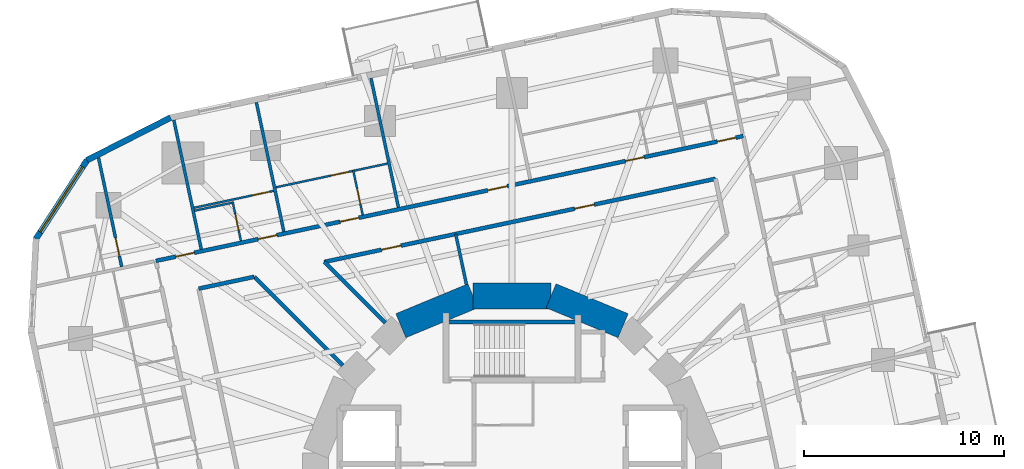
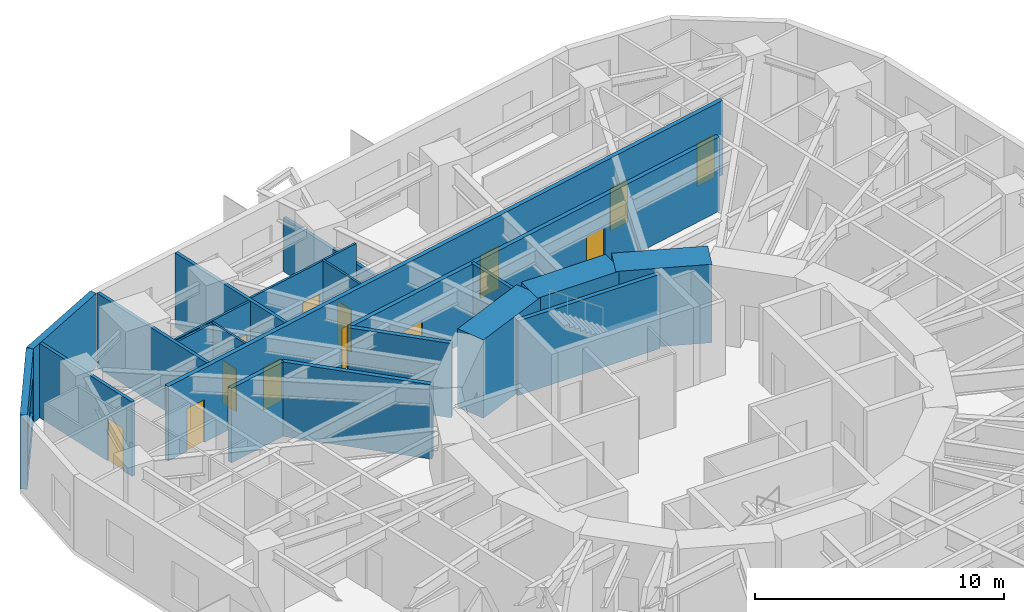
# One storey, part 10 of 14: 22 walls, 13 doors, 1 window, 14 openings.
"""IFC4 building model written with IfcOpenShell, lengths in metres."""

from ifc_helpers import new_model, si_unit, direction, frame, frame_2d, origin, place, context, subcontext, project, spatial, rectangle, extrude, material, layer, layer_set, type_object, element, fill, save


model = new_model("IFC4")

# Units and contexts
model_context = context("Model", 3, precision=1e-05, world=origin(), true_north=direction((0.0, 1.0)))
body_context = subcontext(model_context, "Body", "Model", "MODEL_VIEW")
ifc_project = project(units=[si_unit("LENGTHUNIT", "METRE"), si_unit("AREAUNIT", "SQUARE_METRE"), si_unit("VOLUMEUNIT", "CUBIC_METRE"), si_unit("PLANEANGLEUNIT", "RADIAN"), si_unit("MASSUNIT", "GRAM", prefix="KILO")], contexts=[model_context])

# Site, building, storey
site_placement = place(None, origin())
site = spatial("IfcSite", under=ifc_project, at=site_placement, CompositionType="ELEMENT")
building_placement = place(site_placement, origin())
building = spatial("IfcBuilding", under=site, at=building_placement, Name="Nakasero Lantern House", CompositionType="ELEMENT")
storey_placement = place(building_placement, frame((0.0, 0.0, 120.39990234375)))
storey = spatial("IfcBuildingStorey", under=building, at=storey_placement, Name="L29", CompositionType="ELEMENT", Elevation=120.39990234375)

# Walls
ifc_material_1 = material(Name="Concrete C50/60", Category="concrete")
ifc_layer_1 = layer(ifc_material_1, 1.300048828125)
ifc_layer_set_1 = layer_set([ifc_layer_1], Name="Core wall 1300")
wall_type_1 = type_object("IfcWallType", Name="Core wall 1300", PredefinedType="SHEAR", material=ifc_layer_set_1)
for number, where, z_axis, x_axis, name in (
    (1, (5.5556640625, 8.314697265625, 0.0), (0.0, 0.0, 1.0), (-0.923876507187, 0.382690736062, 0.0), "Core wall L29 facet 3"),
    (2, (1.950927734375, 9.807861328125, 0.0), (0.0, 0.0, 1.0), (-1.0, 0.0, 0.0), "Core wall L29 facet 4"),
    (3, (-1.950927734375, 9.807861328125, 0.0), (0.0, 0.0, 1.0), (-0.923876507187, -0.382690736062, 0.0), "Core wall L29 facet 5"),
):
    element("IfcWall", number, at=place(storey_placement, frame(where, z_axis=z_axis, x_axis=x_axis)), inside=storey, type_object=wall_type_1, Name=name, PredefinedType="SHEAR", context=body_context, shape_type="SweptSolid", body=[
        extrude(rectangle(XDim=3.90185546875, YDim=1.300048828125, at=frame_2d((1.950927734375, 0.0))), origin(), (0.0, 0.0, 1.0), 3.85009765625),
    ])

# Wall, openings, doors
ifc_material_2 = material(Name="Blockwork", Category="masonry")
ifc_layer_2 = layer(ifc_material_2, 0.199951171875)
ifc_layer_set_2 = layer_set([ifc_layer_2], Name="Corridor wall 200")
wall_type_2 = type_object("IfcWallType", Name="Corridor wall 200", PredefinedType="PARTITIONING", material=ifc_layer_set_2)
wall_1_placement = place(storey_placement, frame((11.553466796875, 17.790771484375, 0.0), z_axis=(0.0, 0.0, 1.0), x_axis=(-0.978147639417, -0.207911508826, 0.0)))
wall_1 = element("IfcWall", 4, at=wall_1_placement, inside=storey, type_object=wall_type_2, Name="Corridor wall L29 CW1", PredefinedType="PARTITIONING", context=body_context, shape_type="SweptSolid", body=[
    extrude(rectangle(XDim=29.999755859375, YDim=0.199951171875, at=frame_2d((15.0, 0.0))), origin(), (0.0, 0.0, 1.0), 3.650146484375),
])
opening_1_placement = place(wall_1_placement, frame((0.375, 0.0, 0.0)))
opening_1 = element("IfcOpeningElement", 5, at=opening_1_placement, cuts=wall_1, Name="Opening D01", PredefinedType="OPENING", context=body_context, shape_type="SweptSolid", body=[
    extrude(rectangle(XDim=0.949951171875, YDim=2.10009765625, at=frame_2d((0.47509765625, 1.050048828125))), frame((0.0, 0.119873046875, 0.0), z_axis=(0.0, -1.0, 0.0), x_axis=(1.0, 0.0, 0.0)), (0.0, 0.0, 1.0), 0.239990234375),
])
opening_2_placement = place(wall_1_placement, frame((5.066162109375, 0.0, 0.0)))
opening_2 = element("IfcOpeningElement", 6, at=opening_2_placement, cuts=wall_1, Name="Opening D01", PredefinedType="OPENING", context=body_context, shape_type="SweptSolid", body=[
    extrude(rectangle(XDim=0.949951171875, YDim=2.10009765625, at=frame_2d((0.47509765625, 1.050048828125))), frame((0.0, 0.119873046875, 0.0), z_axis=(0.0, -1.0, 0.0), x_axis=(1.0, 0.0, 0.0)), (0.0, 0.0, 1.0), 0.239990234375),
])
opening_3_placement = place(wall_1_placement, frame((19.642578125, 0.0, 0.0)))
opening_3 = element("IfcOpeningElement", 7, at=opening_3_placement, cuts=wall_1, Name="Opening D01", PredefinedType="OPENING", context=body_context, shape_type="SweptSolid", body=[
    extrude(rectangle(XDim=0.949951171875, YDim=2.10009765625, at=frame_2d((0.47509765625, 1.050048828125))), frame((0.0, 0.119873046875, 0.0), z_axis=(0.0, -1.0, 0.0), x_axis=(1.0, 0.0, 0.0)), (0.0, 0.0, 1.0), 0.239990234375),
])
opening_4_placement = place(wall_1_placement, frame((23.8203125, 0.0, 0.0)))
opening_4 = element("IfcOpeningElement", 8, at=opening_4_placement, cuts=wall_1, Name="Opening D01", PredefinedType="OPENING", context=body_context, shape_type="SweptSolid", body=[
    extrude(rectangle(XDim=0.949951171875, YDim=2.10009765625, at=frame_2d((0.47509765625, 1.050048828125))), frame((0.0, 0.119873046875, 0.0), z_axis=(0.0, -1.0, 0.0), x_axis=(1.0, 0.0, 0.0)), (0.0, 0.0, 1.0), 0.239990234375),
])
opening_5_placement = place(wall_1_placement, frame((28.038330078125, 0.0, 0.0)))
opening_5 = element("IfcOpeningElement", 9, at=opening_5_placement, cuts=wall_1, Name="Opening D01", PredefinedType="OPENING", context=body_context, shape_type="SweptSolid", body=[
    extrude(rectangle(XDim=0.949951171875, YDim=2.10009765625, at=frame_2d((0.47509765625, 1.050048828125))), frame((0.0, 0.119873046875, 0.0), z_axis=(0.0, -1.0, 0.0), x_axis=(1.0, 0.0, 0.0)), (0.0, 0.0, 1.0), 0.239990234375),
])
opening_6_placement = place(wall_1_placement, frame((12.05517578125, 0.0, 0.0)))
opening_6 = element("IfcOpeningElement", 10, at=opening_6_placement, cuts=wall_1, Name="Opening D03", PredefinedType="OPENING", context=body_context, shape_type="SweptSolid", body=[
    extrude(rectangle(XDim=1.0, YDim=2.10009765625, at=frame_2d((0.5, 1.050048828125))), frame((0.0, 0.119873046875, 0.0), z_axis=(0.0, -1.0, 0.0), x_axis=(1.0, 0.0, 0.0)), (0.0, 0.0, 1.0), 0.239990234375),
])
ifc_material_3 = material(Name="Timber C24", Category="wood")
door_type_1 = type_object("IfcDoorType", Name="Bedroom door FD30S 950", OperationType="SINGLE_SWING_LEFT", PredefinedType="DOOR", material=ifc_material_3)
door_1_placement = place(opening_1_placement, origin())
door_1 = element("IfcDoor", 11, at=door_1_placement, inside=storey, type_object=door_type_1, Name="Door L29 D1-00", OperationType="SINGLE_SWING_LEFT", OverallHeight=2.10009765625, OverallWidth=0.949951171875, PredefinedType="DOOR", context=body_context, shape_type="SweptSolid", body=[
    extrude(rectangle(XDim=0.949951171875, YDim=2.10009765625, at=frame_2d((0.47509765625, 1.050048828125))), frame((0.0, 0.02490234375, 0.0), z_axis=(0.0, -1.0, 0.0), x_axis=(1.0, 0.0, 0.0)), (0.0, 0.0, 1.0), 0.050048828125),
])
fill(opening_1, door_1)
door_2_placement = place(opening_2_placement, origin())
door_2 = element("IfcDoor", 12, at=door_2_placement, inside=storey, type_object=door_type_1, Name="Door L29 D1-01", OperationType="SINGLE_SWING_LEFT", OverallHeight=2.10009765625, OverallWidth=0.949951171875, PredefinedType="DOOR", context=body_context, shape_type="SweptSolid", body=[
    extrude(rectangle(XDim=0.949951171875, YDim=2.10009765625, at=frame_2d((0.47509765625, 1.050048828125))), frame((0.0, 0.02490234375, 0.0), z_axis=(0.0, -1.0, 0.0), x_axis=(1.0, 0.0, 0.0)), (0.0, 0.0, 1.0), 0.050048828125),
])
fill(opening_2, door_2)
door_3_placement = place(opening_3_placement, origin())
door_3 = element("IfcDoor", 13, at=door_3_placement, inside=storey, type_object=door_type_1, Name="Door L29 D1-05", OperationType="SINGLE_SWING_RIGHT", OverallHeight=2.10009765625, OverallWidth=0.949951171875, PredefinedType="DOOR", context=body_context, shape_type="SweptSolid", body=[
    extrude(rectangle(XDim=0.949951171875, YDim=2.10009765625, at=frame_2d((0.47509765625, 1.050048828125))), frame((0.0, 0.02490234375, 0.0), z_axis=(0.0, -1.0, 0.0), x_axis=(1.0, 0.0, 0.0)), (0.0, 0.0, 1.0), 0.050048828125),
])
fill(opening_3, door_3)
door_4_placement = place(opening_4_placement, origin())
door_4 = element("IfcDoor", 14, at=door_4_placement, inside=storey, type_object=door_type_1, Name="Door L29 D1-07", OperationType="SINGLE_SWING_RIGHT", OverallHeight=2.10009765625, OverallWidth=0.949951171875, PredefinedType="DOOR", context=body_context, shape_type="SweptSolid", body=[
    extrude(rectangle(XDim=0.949951171875, YDim=2.10009765625, at=frame_2d((0.47509765625, 1.050048828125))), frame((0.0, 0.02490234375, 0.0), z_axis=(0.0, -1.0, 0.0), x_axis=(1.0, 0.0, 0.0)), (0.0, 0.0, 1.0), 0.050048828125),
])
fill(opening_4, door_4)
door_5_placement = place(opening_5_placement, origin())
door_5 = element("IfcDoor", 15, at=door_5_placement, inside=storey, type_object=door_type_1, Name="Door L29 D1-08", OperationType="SINGLE_SWING_RIGHT", OverallHeight=2.10009765625, OverallWidth=0.949951171875, PredefinedType="DOOR", context=body_context, shape_type="SweptSolid", body=[
    extrude(rectangle(XDim=0.949951171875, YDim=2.10009765625, at=frame_2d((0.47509765625, 1.050048828125))), frame((0.0, 0.02490234375, 0.0), z_axis=(0.0, -1.0, 0.0), x_axis=(1.0, 0.0, 0.0)), (0.0, 0.0, 1.0), 0.050048828125),
])
fill(opening_5, door_5)
ifc_material_4 = material(Name="Timber C24", Category="wood")
door_type_2 = type_object("IfcDoorType", Name="Lounge door FD30S 1000", OperationType="SINGLE_SWING_LEFT", PredefinedType="DOOR", material=ifc_material_4)
door_6_placement = place(opening_6_placement, origin())
door_6 = element("IfcDoor", 16, at=door_6_placement, inside=storey, type_object=door_type_2, Name="Door L29 DK1", OperationType="SINGLE_SWING_LEFT", OverallHeight=2.10009765625, OverallWidth=1.0, PredefinedType="DOOR", context=body_context, shape_type="SweptSolid", body=[
    extrude(rectangle(XDim=1.0, YDim=2.10009765625, at=frame_2d((0.5, 1.050048828125))), frame((0.0, 0.02490234375, 0.0), z_axis=(0.0, -1.0, 0.0), x_axis=(1.0, 0.0, 0.0)), (0.0, 0.0, 1.0), 0.050048828125),
])
fill(opening_6, door_6)

wall_2_placement = place(storey_placement, frame((10.1669921875, 15.656005859375, 0.0), z_axis=(0.0, 0.0, 1.0), x_axis=(-0.978147920132, -0.20791018816, 0.0)))
wall_2 = element("IfcWall", 17, at=wall_2_placement, inside=storey, type_object=wall_type_2, Name="Corridor wall L29 IW1-0", PredefinedType="PARTITIONING", context=body_context, shape_type="SweptSolid", body=[
    extrude(rectangle(XDim=19.983642578125, YDim=0.199951171875, at=frame_2d((9.99169921875, 0.0))), origin(), (0.0, 0.0, 1.0), 3.650146484375),
])
opening_7_placement = place(wall_2_placement, frame((6.197509765625, 0.0, 0.0)))
opening_7 = element("IfcOpeningElement", 18, at=opening_7_placement, cuts=wall_2, Name="Opening D07", PredefinedType="OPENING", context=body_context, shape_type="SweptSolid", body=[
    extrude(rectangle(XDim=1.0, YDim=2.10009765625, at=frame_2d((0.5, 1.050048828125))), frame((0.0, 0.119873046875, 0.0), z_axis=(0.0, -1.0, 0.0), x_axis=(1.0, 0.0, 0.0)), (0.0, 0.0, 1.0), 0.239990234375),
])
opening_8_placement = place(wall_2_placement, frame((16.064208984375, 0.0, 0.0)))
opening_8 = element("IfcOpeningElement", 19, at=opening_8_placement, cuts=wall_2, Name="Opening D07", PredefinedType="OPENING", context=body_context, shape_type="SweptSolid", body=[
    extrude(rectangle(XDim=1.0, YDim=2.10009765625, at=frame_2d((0.5, 1.050048828125))), frame((0.0, 0.119873046875, 0.0), z_axis=(0.0, -1.0, 0.0), x_axis=(1.0, 0.0, 0.0)), (0.0, 0.0, 1.0), 0.239990234375),
])
ifc_material_5 = material(Name="Timber C24", Category="wood")
door_type_3 = type_object("IfcDoorType", Name="Room door FD30S 1000", OperationType="SINGLE_SWING_LEFT", PredefinedType="DOOR", material=ifc_material_5)
door_7_placement = place(opening_7_placement, origin())
door_7 = element("IfcDoor", 20, at=door_7_placement, inside=storey, type_object=door_type_3, Name="Door L29 DI5", OperationType="SINGLE_SWING_LEFT", OverallHeight=2.10009765625, OverallWidth=1.0, PredefinedType="DOOR", context=body_context, shape_type="SweptSolid", body=[
    extrude(rectangle(XDim=1.0, YDim=2.10009765625, at=frame_2d((0.5, 1.050048828125))), frame((0.0, 0.02490234375, 0.0), z_axis=(0.0, -1.0, 0.0), x_axis=(1.0, 0.0, 0.0)), (0.0, 0.0, 1.0), 0.050048828125),
])
fill(opening_7, door_7)
door_8_placement = place(opening_8_placement, origin())
door_8 = element("IfcDoor", 21, at=door_8_placement, inside=storey, type_object=door_type_3, Name="Door L29 DI6", OperationType="SINGLE_SWING_RIGHT", OverallHeight=2.10009765625, OverallWidth=1.0, PredefinedType="DOOR", context=body_context, shape_type="SweptSolid", body=[
    extrude(rectangle(XDim=1.0, YDim=2.10009765625, at=frame_2d((0.5, 1.050048828125))), frame((0.0, 0.02490234375, 0.0), z_axis=(0.0, -1.0, 0.0), x_axis=(1.0, 0.0, 0.0)), (0.0, 0.0, 1.0), 0.050048828125),
])
fill(opening_8, door_8)

# Walls
wall_3_placement = place(storey_placement, frame((-12.878662109375, 10.75732421875, 0.0), z_axis=(0.0, 0.0, 1.0), x_axis=(-0.97814836043, -0.207908116695, 0.0)))
element("IfcWall", 22, at=wall_3_placement, inside=storey, type_object=wall_type_2, Name="Corridor wall L29 IW1-1", PredefinedType="PARTITIONING", context=body_context, shape_type="SweptSolid", body=[
    extrude(rectangle(XDim=2.83935546875, YDim=0.199951171875, at=frame_2d((1.419677734375, 0.0))), origin(), (0.0, 0.0, 1.0), 3.650146484375),
])
wall_4_placement = place(storey_placement, frame((-8.45556640625, 6.334228515625, 0.0), z_axis=(0.0, 0.0, 1.0), x_axis=(-0.707106781187, 0.707106781187, 0.0)))
element("IfcWall", 23, at=wall_4_placement, inside=storey, type_object=wall_type_2, Name="Corridor wall L29 PS06a", PredefinedType="PARTITIONING", context=body_context, shape_type="SweptSolid", body=[
    extrude(rectangle(XDim=6.255126953125, YDim=0.199951171875, at=frame_2d((3.12744140625, 0.0))), origin(), (0.0, 0.0, 1.0), 3.650146484375),
])
wall_5_placement = place(storey_placement, frame((-6.334228515625, 8.45556640625, 0.0), z_axis=(0.0, 0.0, 1.0), x_axis=(-0.707106781187, 0.707106781187, 0.0)))
element("IfcWall", 24, at=wall_5_placement, inside=storey, type_object=wall_type_2, Name="Corridor wall L29 PS06b", PredefinedType="PARTITIONING", context=body_context, shape_type="SweptSolid", body=[
    extrude(rectangle(XDim=4.30712890625, YDim=0.199951171875, at=frame_2d((2.153564453125, 0.0))), origin(), (0.0, 0.0, 1.0), 3.650146484375),
])

# Wall, opening, door
ifc_material_6 = material(Name="Blockwork", Category="masonry")
ifc_layer_3 = layer(ifc_material_6, 0.10009765625)
ifc_layer_set_3 = layer_set([ifc_layer_3], Name="En-suite wall 100")
wall_type_3 = type_object("IfcWallType", Name="En-suite wall 100", PredefinedType="PARTITIONING", material=ifc_layer_set_3)
wall_6_placement = place(storey_placement, frame((-7.46044921875, 13.8515625, 0.0), z_axis=(0.0, 0.0, 1.0), x_axis=(-0.207941273027, 0.978141312374, 0.0)))
wall_6 = element("IfcWall", 25, at=wall_6_placement, inside=storey, type_object=wall_type_3, Name="En-suite wall L29 ES1-05", PredefinedType="PARTITIONING", context=body_context, shape_type="SweptSolid", body=[
    extrude(rectangle(XDim=2.300048828125, YDim=0.10009765625, at=frame_2d((1.14990234375, 0.0))), origin(), (0.0, 0.0, 1.0), 3.650146484375),
])
opening_9_placement = place(wall_6_placement, frame((0.550048828125, 0.0, 0.0)))
opening_9 = element("IfcOpeningElement", 26, at=opening_9_placement, cuts=wall_6, Name="Opening D02", PredefinedType="OPENING", context=body_context, shape_type="SweptSolid", body=[
    extrude(rectangle(XDim=0.800048828125, YDim=2.10009765625, at=frame_2d((0.39990234375, 1.050048828125))), frame((0.0, 0.070068359375, 0.0), z_axis=(0.0, -1.0, 0.0), x_axis=(1.0, 0.0, 0.0)), (0.0, 0.0, 1.0), 0.14013671875),
])
ifc_material_7 = material(Name="Timber C24", Category="wood")
door_type_4 = type_object("IfcDoorType", Name="En-suite door 800", OperationType="SINGLE_SWING_RIGHT", PredefinedType="DOOR", material=ifc_material_7)
door_9_placement = place(opening_9_placement, origin())
door_9 = element("IfcDoor", 27, at=door_9_placement, inside=storey, type_object=door_type_4, Name="Door L29 DE1-05", OperationType="SINGLE_SWING_LEFT", OverallHeight=2.10009765625, OverallWidth=0.800048828125, PredefinedType="DOOR", context=body_context, shape_type="SweptSolid", body=[
    extrude(rectangle(XDim=0.800048828125, YDim=2.10009765625, at=frame_2d((0.39990234375, 1.050048828125))), frame((0.0, 0.02490234375, 0.0), z_axis=(0.0, -1.0, 0.0), x_axis=(1.0, 0.0, 0.0)), (0.0, 0.0, 1.0), 0.050048828125),
])
fill(opening_9, door_9)

# Wall
wall_7_placement = place(storey_placement, frame((-6.216552734375, 16.416259765625, 0.0), z_axis=(0.0, 0.0, 1.0), x_axis=(-0.97813950236, -0.207949787024, 0.0)))
element("IfcWall", 28, at=wall_7_placement, inside=storey, type_object=wall_type_3, Name="En-suite wall L29 EE1-05", PredefinedType="PARTITIONING", context=body_context, shape_type="SweptSolid", body=[
    extrude(rectangle(XDim=1.699951171875, YDim=0.10009765625, at=frame_2d((0.85009765625, 0.0))), origin(), (0.0, 0.0, 1.0), 3.650146484375),
])

# Wall, opening, door
wall_8_placement = place(storey_placement, frame((-13.54541015625, 12.55810546875, 0.0), z_axis=(0.0, 0.0, 1.0), x_axis=(-0.207886494942, 0.978152955943, 0.0)))
wall_8 = element("IfcWall", 29, at=wall_8_placement, inside=storey, type_object=wall_type_3, Name="En-suite wall L29 ES1-07", PredefinedType="PARTITIONING", context=body_context, shape_type="SweptSolid", body=[
    extrude(rectangle(XDim=2.0, YDim=0.10009765625, at=frame_2d((1.0, 0.0))), origin(), (0.0, 0.0, 1.0), 3.650146484375),
])
opening_10_placement = place(wall_8_placement, frame((0.550048828125, 0.0, 0.0)))
opening_10 = element("IfcOpeningElement", 30, at=opening_10_placement, cuts=wall_8, Name="Opening D02", PredefinedType="OPENING", context=body_context, shape_type="SweptSolid", body=[
    extrude(rectangle(XDim=0.800048828125, YDim=2.10009765625, at=frame_2d((0.39990234375, 1.050048828125))), frame((0.0, 0.070068359375, 0.0), z_axis=(0.0, -1.0, 0.0), x_axis=(1.0, 0.0, 0.0)), (0.0, 0.0, 1.0), 0.14013671875),
])
door_10_placement = place(opening_10_placement, origin())
door_10 = element("IfcDoor", 31, at=door_10_placement, inside=storey, type_object=door_type_4, Name="Door L29 DE1-07", OperationType="SINGLE_SWING_LEFT", OverallHeight=2.10009765625, OverallWidth=0.800048828125, PredefinedType="DOOR", context=body_context, shape_type="SweptSolid", body=[
    extrude(rectangle(XDim=0.800048828125, YDim=2.10009765625, at=frame_2d((0.39990234375, 1.050048828125))), frame((0.0, 0.02490234375, 0.0), z_axis=(0.0, -1.0, 0.0), x_axis=(1.0, 0.0, 0.0)), (0.0, 0.0, 1.0), 0.050048828125),
])
fill(opening_10, door_10)

# Wall
wall_9_placement = place(storey_placement, frame((-13.999755859375, 14.455078125, 0.0), z_axis=(0.0, 0.0, 1.0), x_axis=(-0.978147092378, -0.207914082431, 0.0)))
element("IfcWall", 32, at=wall_9_placement, inside=storey, type_object=wall_type_3, Name="En-suite wall L29 EE1-07", PredefinedType="PARTITIONING", context=body_context, shape_type="SweptSolid", body=[
    extrude(rectangle(XDim=1.89990234375, YDim=0.10009765625, at=frame_2d((0.949951171875, 0.0))), origin(), (0.0, 0.0, 1.0), 3.650146484375),
])

# Wall, opening, door
wall_10_placement = place(storey_placement, frame((-7.977294921875, 16.0419921875, 0.0), z_axis=(0.0, 0.0, 1.0), x_axis=(-0.978141676897, -0.207939558327, 0.0)))
wall_10 = element("IfcWall", 33, at=wall_10_placement, inside=storey, type_object=wall_type_3, Name="En-suite wall L29 EL1-05", PredefinedType="PARTITIONING", context=body_context, shape_type="SweptSolid", body=[
    extrude(rectangle(XDim=3.902587890625, YDim=0.10009765625, at=frame_2d((1.951171875, 0.0))), origin(), (0.0, 0.0, 1.0), 3.650146484375),
])
opening_11_placement = place(wall_10_placement, frame((0.199951171875, 0.0, 0.0)))
opening_11 = element("IfcOpeningElement", 34, at=opening_11_placement, cuts=wall_10, Name="Opening D17", PredefinedType="OPENING", context=body_context, shape_type="SweptSolid", body=[
    extrude(rectangle(XDim=0.89990234375, YDim=2.10009765625, at=frame_2d((0.449951171875, 1.050048828125))), frame((0.0, 0.070068359375, 0.0), z_axis=(0.0, -1.0, 0.0), x_axis=(1.0, 0.0, 0.0)), (0.0, 0.0, 1.0), 0.14013671875),
])
ifc_material_8 = material(Name="Timber C24", Category="wood")
door_type_5 = type_object("IfcDoorType", Name="Bedroom door FD30S 900", OperationType="SINGLE_SWING_LEFT", PredefinedType="DOOR", material=ifc_material_8)
door_11_placement = place(opening_11_placement, origin())
door_11 = element("IfcDoor", 35, at=door_11_placement, inside=storey, type_object=door_type_5, Name="Door L29 DL1-05", OperationType="SINGLE_SWING_LEFT", OverallHeight=2.10009765625, OverallWidth=0.89990234375, PredefinedType="DOOR", context=body_context, shape_type="SweptSolid", body=[
    extrude(rectangle(XDim=0.89990234375, YDim=2.10009765625, at=frame_2d((0.449951171875, 1.050048828125))), frame((0.0, 0.02490234375, 0.0), z_axis=(0.0, -1.0, 0.0), x_axis=(1.0, 0.0, 0.0)), (0.0, 0.0, 1.0), 0.050048828125),
])
fill(opening_11, door_11)

wall_11_placement = place(storey_placement, frame((-11.91015625, 15.052734375, 0.0), z_axis=(0.0, 0.0, 1.0), x_axis=(-0.978141002414, -0.207942731049, 0.0)))
wall_11 = element("IfcWall", 36, at=wall_11_placement, inside=storey, type_object=wall_type_3, Name="En-suite wall L29 EL1-07", PredefinedType="PARTITIONING", context=body_context, shape_type="SweptSolid", body=[
    extrude(rectangle(XDim=4.068115234375, YDim=0.10009765625, at=frame_2d((2.0341796875, 0.0))), origin(), (0.0, 0.0, 1.0), 3.650146484375),
])
opening_12_placement = place(wall_11_placement, frame((0.199951171875, 0.0, 0.0)))
opening_12 = element("IfcOpeningElement", 37, at=opening_12_placement, cuts=wall_11, Name="Opening D17", PredefinedType="OPENING", context=body_context, shape_type="SweptSolid", body=[
    extrude(rectangle(XDim=0.89990234375, YDim=2.10009765625, at=frame_2d((0.449951171875, 1.050048828125))), frame((0.0, 0.070068359375, 0.0), z_axis=(0.0, -1.0, 0.0), x_axis=(1.0, 0.0, 0.0)), (0.0, 0.0, 1.0), 0.14013671875),
])
door_12_placement = place(opening_12_placement, origin())
door_12 = element("IfcDoor", 38, at=door_12_placement, inside=storey, type_object=door_type_5, Name="Door L29 DL1-07", OperationType="SINGLE_SWING_LEFT", OverallHeight=2.10009765625, OverallWidth=0.89990234375, PredefinedType="DOOR", context=body_context, shape_type="SweptSolid", body=[
    extrude(rectangle(XDim=0.89990234375, YDim=2.10009765625, at=frame_2d((0.449951171875, 1.050048828125))), frame((0.0, 0.02490234375, 0.0), z_axis=(0.0, -1.0, 0.0), x_axis=(1.0, 0.0, 0.0)), (0.0, 0.0, 1.0), 0.050048828125),
])
fill(opening_12, door_12)

# Wall
ifc_material_9 = material(Name="Aluminium rainscreen on blockwork", Category="masonry")
ifc_layer_4 = layer(ifc_material_9, 0.300048828125)
ifc_layer_set_4 = layer_set([ifc_layer_4], Name="Facade wall 300")
wall_type_4 = type_object("IfcWallType", Name="Facade wall 300", PredefinedType="SOLIDWALL", material=ifc_layer_set_4)
wall_12_placement = place(storey_placement, frame((-17.063232421875, 18.711181640625, 0.0), z_axis=(0.0, 0.0, 1.0), x_axis=(-0.89101404178, -0.453975745332, 0.0)))
element("IfcWall", 39, at=wall_12_placement, inside=storey, type_object=wall_type_4, Name="Facade wall L29 FW1C1", PredefinedType="SOLIDWALL", context=body_context, shape_type="SweptSolid", body=[
    extrude(rectangle(XDim=4.6845703125, YDim=0.300048828125, at=frame_2d((2.34228515625, 0.0))), origin(), (0.0, 0.0, 1.0), 3.650146484375),
])

# Wall, opening, window
wall_13_placement = place(storey_placement, frame((-21.2373046875, 16.58447265625, 0.0), z_axis=(0.0, 0.0, 1.0), x_axis=(-0.544605442853, -0.838692381994, 0.0)))
wall_13 = element("IfcWall", 40, at=wall_13_placement, inside=storey, type_object=wall_type_4, Name="Facade wall L29 FW1C2", PredefinedType="SOLIDWALL", context=body_context, shape_type="SweptSolid", body=[
    extrude(rectangle(XDim=4.6845703125, YDim=0.300048828125, at=frame_2d((2.34228515625, 0.0))), origin(), (0.0, 0.0, 1.0), 3.650146484375),
])
opening_13_placement = place(wall_13_placement, frame((0.39990234375, 0.0, 0.75)))
opening_13 = element("IfcOpeningElement", 41, at=opening_13_placement, cuts=wall_13, Name="Opening W238", PredefinedType="OPENING", context=body_context, shape_type="SweptSolid", body=[
    extrude(rectangle(XDim=3.885009765625, YDim=1.800048828125, at=frame_2d((1.9423828125, 0.89990234375))), frame((0.0, 0.169921875, 0.0), z_axis=(0.0, -1.0, 0.0), x_axis=(1.0, 0.0, 0.0)), (0.0, 0.0, 1.0), 0.340087890625),
])
ifc_material_10 = material(Name="Aluminium 6063-T6 and glass", Category="aluminium")
window_type = type_object("IfcWindowType", Name="Corner window 3885x1800", PartitioningType="SINGLE_PANEL", PredefinedType="WINDOW", material=ifc_material_10)
window_placement = place(opening_13_placement, origin())
window = element("IfcWindow", 42, at=window_placement, inside=storey, type_object=window_type, Name="Window L29 WC1", OverallHeight=1.800048828125, OverallWidth=3.885009765625, PartitioningType="SINGLE_PANEL", PredefinedType="WINDOW", context=body_context, shape_type="SweptSolid", body=[
    extrude(rectangle(XDim=3.885009765625, YDim=1.800048828125, at=frame_2d((1.9423828125, 0.89990234375))), frame((0.0, 0.030029296875, 0.0), z_axis=(0.0, -1.0, 0.0), x_axis=(1.0, 0.0, 0.0)), (0.0, 0.0, 1.0), 0.06005859375),
])
fill(opening_13, window)

# Walls
ifc_material_11 = material(Name="Blockwork", Category="masonry")
ifc_layer_5 = layer(ifc_material_11, 0.199951171875)
ifc_layer_set_5 = layer_set([ifc_layer_5], Name="Fire lobby wall 200")
wall_type_5 = type_object("IfcWallType", Name="Fire lobby wall 200", PredefinedType="PARTITIONING", material=ifc_layer_set_5)
wall_14_placement = place(storey_placement, frame((-3.300048828125, 8.5, 0.0), z_axis=(0.0, 0.0, 1.0), x_axis=(1.0, 0.0, 0.0)))
element("IfcWall", 43, at=wall_14_placement, inside=storey, type_object=wall_type_5, Name="Fire lobby wall L29 W-STN", PredefinedType="PARTITIONING", context=body_context, shape_type="SweptSolid", body=[
    extrude(rectangle(XDim=6.60009765625, YDim=0.199951171875, at=frame_2d((3.300048828125, 0.0))), origin(), (0.0, 0.0, 1.0), 3.650146484375),
])
ifc_material_12 = material(Name="Blockwork", Category="masonry")
ifc_layer_6 = layer(ifc_material_12, 0.14990234375)
ifc_layer_set_6 = layer_set([ifc_layer_6], Name="Party wall 150")
wall_type_6 = type_object("IfcWallType", Name="Party wall 150", PredefinedType="PARTITIONING", material=ifc_layer_set_6)
wall_15_placement = place(storey_placement, frame((-5.67529296875, 14.23095703125, 0.0), z_axis=(0.0, 0.0, 1.0), x_axis=(-0.207924673876, 0.978144841009, 0.0)))
element("IfcWall", 44, at=wall_15_placement, inside=storey, type_object=wall_type_6, Name="Party wall L29 PW1-05", PredefinedType="PARTITIONING", context=body_context, shape_type="SweptSolid", body=[
    extrude(rectangle(XDim=6.60009765625, YDim=0.14990234375, at=frame_2d((3.300048828125, 0.0))), origin(), (0.0, 0.0, 1.0), 2.64208984375),
])
for number, where, z_axis, x_axis, name in (
    (45, (-11.400146484375, 13.01416015625, 0.0), (0.0, 0.0, 1.0), (-0.207924673876, 0.978144841009, 0.0), "Party wall L29 PW1-07"),
    (46, (-15.526123046875, 12.13720703125, 0.0), (0.0, 0.0, 1.0), (-0.207924673876, 0.978144841009, 0.0), "Party wall L29 PW1-08"),
):
    element("IfcWall", number, at=place(storey_placement, frame(where, z_axis=z_axis, x_axis=x_axis)), inside=storey, type_object=wall_type_6, Name=name, PredefinedType="PARTITIONING", context=body_context, shape_type="SweptSolid", body=[
        extrude(rectangle(XDim=6.60009765625, YDim=0.14990234375, at=frame_2d((3.300048828125, 0.0))), origin(), (0.0, 0.0, 1.0), 3.650146484375),
    ])

# Wall, opening, door
wall_16_placement = place(storey_placement, frame((-19.502197265625, 11.256103515625, 0.0), z_axis=(0.0, 0.0, 1.0), x_axis=(-0.207936339891, 0.978142361087, 0.0)))
wall_16 = element("IfcWall", 47, at=wall_16_placement, inside=storey, type_object=wall_type_6, Name="Party wall L29 PC1", PredefinedType="PARTITIONING", context=body_context, shape_type="SweptSolid", body=[
    extrude(rectangle(XDim=5.570068359375, YDim=0.14990234375, at=frame_2d((2.78515625, 0.0))), origin(), (0.0, 0.0, 1.0), 3.650146484375),
])
opening_14_placement = place(wall_16_placement, frame((0.534912109375, 0.0, 0.0)))
opening_14 = element("IfcOpeningElement", 48, at=opening_14_placement, cuts=wall_16, Name="Opening D01", PredefinedType="OPENING", context=body_context, shape_type="SweptSolid", body=[
    extrude(rectangle(XDim=0.949951171875, YDim=2.10009765625, at=frame_2d((0.47509765625, 1.050048828125))), frame((0.0, 0.094970703125, 0.0), z_axis=(0.0, -1.0, 0.0), x_axis=(1.0, 0.0, 0.0)), (0.0, 0.0, 1.0), 0.18994140625),
])
door_13_placement = place(opening_14_placement, origin())
door_13 = element("IfcDoor", 49, at=door_13_placement, inside=storey, type_object=door_type_1, Name="Door L29 DC1", OperationType="SINGLE_SWING_LEFT", OverallHeight=2.10009765625, OverallWidth=0.949951171875, PredefinedType="DOOR", context=body_context, shape_type="SweptSolid", body=[
    extrude(rectangle(XDim=0.949951171875, YDim=2.10009765625, at=frame_2d((0.47509765625, 1.050048828125))), frame((0.0, 0.02490234375, 0.0), z_axis=(0.0, -1.0, 0.0), x_axis=(1.0, 0.0, 0.0)), (0.0, 0.0, 1.0), 0.050048828125),
])
fill(opening_14, door_13)

# Wall
wall_17_placement = place(storey_placement, frame((-2.81298828125, 12.89697265625, 0.0), z_axis=(0.0, 0.0, 1.0), x_axis=(0.20794373203, -0.978140789615, 0.0)))
element("IfcWall", 50, at=wall_17_placement, inside=storey, type_object=wall_type_6, Name="Party wall L29 IM1", PredefinedType="PARTITIONING", context=body_context, shape_type="SweptSolid", body=[
    extrude(rectangle(XDim=2.5771484375, YDim=0.14990234375, at=frame_2d((1.28857421875, 0.0))), origin(), (0.0, 0.0, 1.0), 3.650146484375),
])

save(model, "model.ifc")
